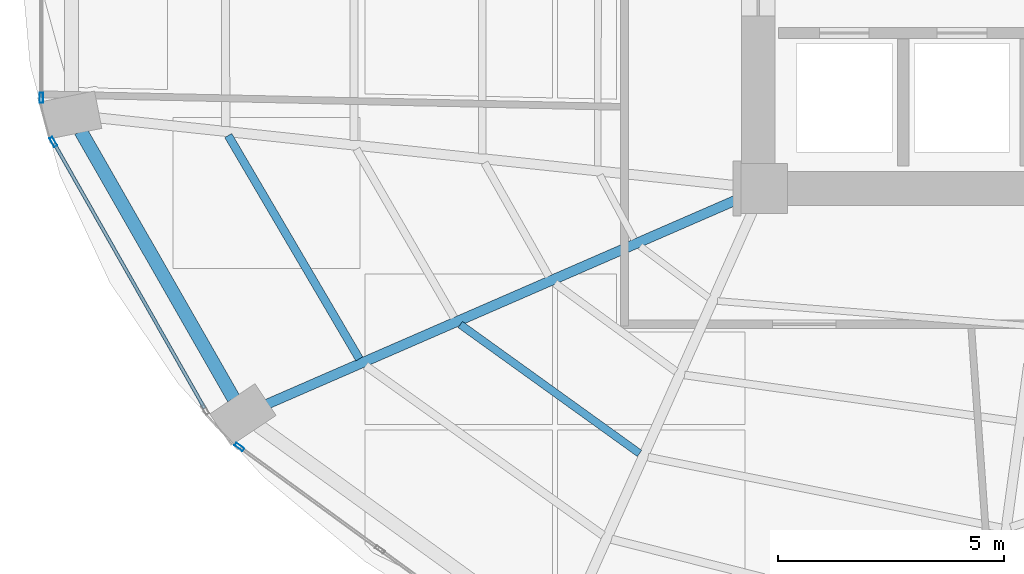
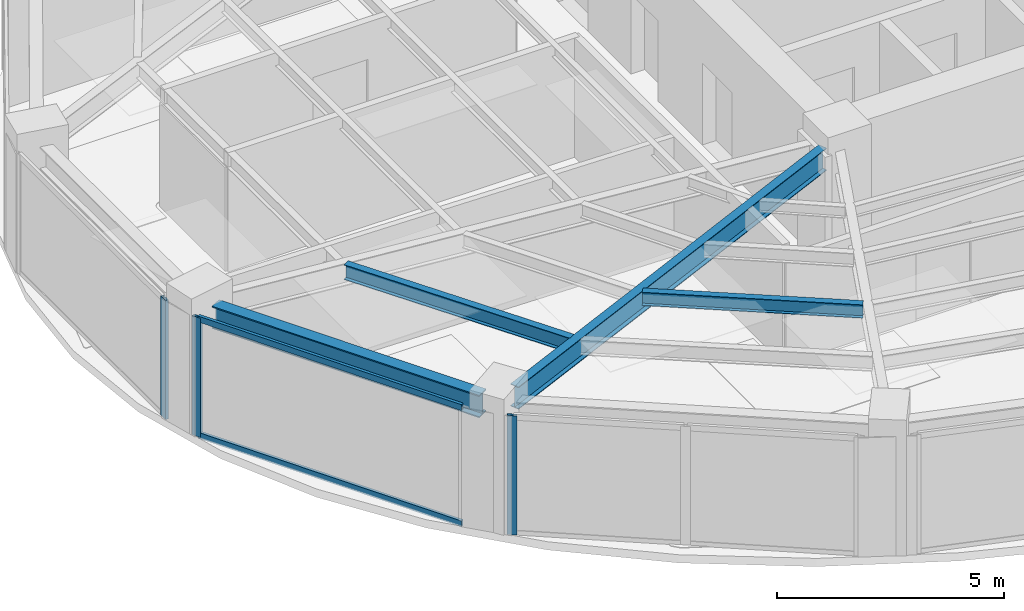
# One storey, part 3 of 24: 5 members, 4 beams, 3 elements without a shape of their own.
"""IFC4 building model written with IfcOpenShell, lengths in metres."""

from ifc_helpers import new_model, si_unit, direction, frame, origin, origin_2d, place, context, subcontext, project, spatial, hollow_rectangle, i_section, extrude, material, layer, layer_set, material_profile, profile_set, type_object, element, aggregate, save


model = new_model("IFC4")

# Units and contexts
model_context = context("Model", 3, precision=1e-05, world=origin(), true_north=direction((0.0, 1.0)))
body_context = subcontext(model_context, "Body", "Model", "MODEL_VIEW")
ifc_project = project(units=[si_unit("LENGTHUNIT", "METRE"), si_unit("AREAUNIT", "SQUARE_METRE"), si_unit("VOLUMEUNIT", "CUBIC_METRE"), si_unit("PLANEANGLEUNIT", "RADIAN"), si_unit("MASSUNIT", "GRAM", prefix="KILO")], contexts=[model_context])

# Site, building, storey
site_placement = place(None, origin())
site = spatial("IfcSite", under=ifc_project, at=site_placement, CompositionType="ELEMENT")
building_placement = place(site_placement, origin())
building = spatial("IfcBuilding", under=site, at=building_placement, Name="Lazwardi Medical Tower", CompositionType="ELEMENT")
storey_placement = place(building_placement, frame((0.0, 0.0, 129.16796875)))
storey = spatial("IfcBuildingStorey", under=building, at=storey_placement, Name="L33", CompositionType="ELEMENT", Elevation=129.16796875)

# Beams
ifc_material_1 = material(Name="Steel S355", Category="steel")
ifc_material_profile_1 = material_profile(ifc_material_1, i_section(OverallWidth=0.300048828125, OverallDepth=0.60009765625, WebThickness=0.015380859375, FlangeThickness=0.030029296875, at=origin_2d()), Name="HEB 600")
ifc_profile_set_1 = profile_set([ifc_material_profile_1], Name="Steel S355")
beam_type_1 = type_object("IfcBeamType", Name="BM-RB-Z2", PredefinedType="BEAM", material=ifc_profile_set_1)
beam_1_placement = place(storey_placement, frame((11.3408203125, 21.664306640625, 2.89794921875), z_axis=(0.496637551254, -0.867958030486, 0.0), x_axis=(0.867958030486, 0.496637551254, 0.0)))
element("IfcBeam", 1, at=beam_1_placement, inside=storey, type_object=beam_type_1, Name="Ring beam RB-03 B13 L33", PredefinedType="BEAM", context=body_context, shape_type="SweptSolid", body=[
    extrude(i_section(OverallWidth=0.300048828125, OverallDepth=0.60009765625, WebThickness=0.015380859375, FlangeThickness=0.030029296875, at=origin_2d()), origin(), (0.0, 0.0, 1.0), 6.801025390625),
])
ifc_material_profile_2 = material_profile(ifc_material_1, i_section(OverallWidth=0.219970703125, OverallDepth=0.60009765625, WebThickness=0.011962890625, FlangeThickness=0.01904296875, at=origin_2d()), Name="IPE 600")
ifc_profile_set_2 = profile_set([ifc_material_profile_2], Name="Steel S355")
beam_type_2 = type_object("IfcBeamType", Name="BM-RG-W1", PredefinedType="BEAM", material=ifc_profile_set_2)
beam_2_placement = place(storey_placement, frame((15.4541015625, 15.63671875, 2.89794921875), z_axis=(0.916941336121, 0.399022037127, 0.0), x_axis=(-0.399022037127, 0.916941336121, 0.0)))
element("IfcBeam", 2, at=beam_2_placement, inside=storey, type_object=beam_type_2, Name="Radial girder RG-02 R14 L33", PredefinedType="BEAM", context=body_context, shape_type="SweptSolid", body=[
    extrude(i_section(OverallWidth=0.219970703125, OverallDepth=0.60009765625, WebThickness=0.011962890625, FlangeThickness=0.01904296875, at=origin_2d()), origin(), (0.0, 0.0, 1.0), 11.40234375),
])
ifc_material_profile_3 = material_profile(ifc_material_1, i_section(OverallWidth=0.179931640625, OverallDepth=0.39990234375, WebThickness=0.008544921875, FlangeThickness=0.013427734375, at=origin_2d()), Name="IPE 400")
ifc_profile_set_3 = profile_set([ifc_material_profile_3], Name="Steel S355")
beam_type_3 = type_object("IfcBeamType", Name="BM-SJ-01", PredefinedType="JOIST", material=ifc_profile_set_3)
beam_3_placement = place(storey_placement, frame((14.597900390625, 21.56787109375, 2.998046875), z_axis=(0.506195045201, -0.862419025888, 0.0), x_axis=(0.862419025888, 0.506195045201, 0.0)))
element("IfcBeam", 3, at=beam_3_placement, inside=storey, type_object=beam_type_3, Name="Secondary joist SJ-01 R1 B13 L33", PredefinedType="JOIST", context=body_context, shape_type="SweptSolid", body=[
    extrude(i_section(OverallWidth=0.179931640625, OverallDepth=0.39990234375, WebThickness=0.008544921875, FlangeThickness=0.013427734375, at=origin_2d()), origin(), (0.0, 0.0, 1.0), 5.71728515625),
])
ifc_material_profile_4 = material_profile(ifc_material_1, i_section(OverallWidth=0.169921875, OverallDepth=0.360107421875, WebThickness=0.008056640625, FlangeThickness=0.0126953125, at=origin_2d()), Name="IPE 360")
ifc_profile_set_4 = profile_set([ifc_material_profile_4], Name="Steel S355")
beam_type_4 = type_object("IfcBeamType", Name="BM-SJ-02", PredefinedType="JOIST", material=ifc_profile_set_4)
beam_4_placement = place(storey_placement, frame((19.721435546875, 17.395263671875, 3.01806640625), z_axis=(0.811888517177, -0.583812500446, 0.0), x_axis=(0.583812500446, 0.811888517177, 0.0)))
element("IfcBeam", 4, at=beam_4_placement, inside=storey, type_object=beam_type_4, Name="Secondary joist SJ-02 R2 B14 L33", PredefinedType="JOIST", context=body_context, shape_type="SweptSolid", body=[
    extrude(i_section(OverallWidth=0.169921875, OverallDepth=0.360107421875, WebThickness=0.008056640625, FlangeThickness=0.0126953125, at=origin_2d()), origin(), (0.0, 0.0, 1.0), 4.874755859375),
])

# Curtain wall, member
ifc_material_2 = material(Name="Anodised bronze aluminium and solar control glazing", Category="aluminium")
ifc_layer = layer(ifc_material_2, 0.195068359375)
ifc_layer_set = layer_set([ifc_layer], Name="Anodised bronze aluminium and solar control glazing")
curtain_wall_type = type_object("IfcCurtainWallType", Name="CW-SYS-03", PredefinedType="NOTDEFINED", material=ifc_layer_set)
curtain_wall_1_placement = place(storey_placement, origin())
curtain_wall_1 = element("IfcCurtainWall", 5, at=curtain_wall_1_placement, inside=storey, type_object=curtain_wall_type, Name="L33 Unitised bronze curtain wall CW-03", PredefinedType="NOTDEFINED")
ifc_material_3 = material(Name="Anodised bronze aluminium", Category="aluminium")
ifc_material_profile_5 = material_profile(ifc_material_3, hollow_rectangle(XDim=0.074951171875, YDim=0.219970703125, WallThickness=0.00390625, at=origin_2d()), Name="ALU-MULLION 220x75x4")
ifc_profile_set_5 = profile_set([ifc_material_profile_5], Name="Anodised bronze aluminium")
member_type_1 = type_object("IfcMemberType", Name="CW-MUL-01", PredefinedType="MULLION", material=ifc_profile_set_5)
member_1_placement = place(storey_placement, frame((10.471923828125, 22.402587890625, 0.0), z_axis=(0.0, 0.0, 1.0), x_axis=(1.0, 0.0, 0.0)))
member_1 = element("IfcMember", 6, at=member_1_placement, type_object=member_type_1, Name="CW-03 mullion 2", PredefinedType="MULLION", context=body_context, shape_type="SweptSolid", body=[
    extrude(hollow_rectangle(XDim=0.074951171875, YDim=0.219970703125, WallThickness=0.00390625, at=origin_2d()), origin(), (0.0, 0.0, 1.0), 3.197998046875),
])
aggregate(curtain_wall_1, [member_1])

curtain_wall_2_placement = place(storey_placement, origin())
curtain_wall_2 = element("IfcCurtainWall", 7, at=curtain_wall_2_placement, inside=storey, type_object=curtain_wall_type, Name="L33 Unitised bronze curtain wall CW-03", PredefinedType="NOTDEFINED")
member_2_placement = place(storey_placement, frame((10.7373046875, 21.42626953125, 0.0), z_axis=(0.0, 0.0, 1.0), x_axis=(0.869687265712, 0.493603140041, 0.0)))
member_2 = element("IfcMember", 8, at=member_2_placement, type_object=member_type_1, Name="CW-03 mullion 1", PredefinedType="MULLION", context=body_context, shape_type="SweptSolid", body=[
    extrude(hollow_rectangle(XDim=0.074951171875, YDim=0.219970703125, WallThickness=0.00390625, at=origin_2d()), origin(), (0.0, 0.0, 1.0), 3.197998046875),
])

curtain_wall_3_placement = place(storey_placement, origin())
curtain_wall_3 = element("IfcCurtainWall", 9, at=curtain_wall_3_placement, inside=storey, type_object=curtain_wall_type, Name="L33 Unitised bronze curtain wall CW-03", PredefinedType="NOTDEFINED")
member_3_placement = place(storey_placement, frame((14.844970703125, 14.691162109375, 0.0), z_axis=(0.0, 0.0, 1.0), x_axis=(0.589530882802, 0.807745837639, 0.0)))
member_3 = element("IfcMember", 10, at=member_3_placement, type_object=member_type_1, Name="CW-03 mullion 1", PredefinedType="MULLION", context=body_context, shape_type="SweptSolid", body=[
    extrude(hollow_rectangle(XDim=0.074951171875, YDim=0.219970703125, WallThickness=0.00390625, at=origin_2d()), origin(), (0.0, 0.0, 1.0), 3.197998046875),
])
aggregate(curtain_wall_3, [member_3])

# Member
ifc_material_profile_6 = material_profile(ifc_material_3, hollow_rectangle(XDim=0.074951171875, YDim=0.159912109375, WallThickness=0.00390625, at=origin_2d()), Name="ALU-TRANSOM 160x75x4")
ifc_profile_set_6 = profile_set([ifc_material_profile_6], Name="Anodised bronze aluminium")
member_type_2 = type_object("IfcMemberType", Name="CW-TRN-01", PredefinedType="USERDEFINED", material=ifc_profile_set_6)
member_4_placement = place(storey_placement, frame((10.755859375, 21.3935546875, 0.03759765625), z_axis=(0.493614427365, -0.869680859337, 0.0), x_axis=(0.869680859337, 0.493614427365, 0.0)))
member_4 = element("IfcMember", 11, at=member_4_placement, type_object=member_type_2, Name="CW-03 transom 1.1", ObjectType="TRANSOM", PredefinedType="USERDEFINED", context=body_context, shape_type="SweptSolid", body=[
    extrude(hollow_rectangle(XDim=0.074951171875, YDim=0.159912109375, WallThickness=0.00390625, at=origin_2d()), origin(), (0.0, 0.0, 1.0), 6.72314453125),
])

member_5_placement = place(storey_placement, frame((10.755859375, 21.3935546875, 3.16064453125), z_axis=(0.493614427365, -0.869680859337, 0.0), x_axis=(0.869680859337, 0.493614427365, 0.0)))
member_5 = element("IfcMember", 12, at=member_5_placement, type_object=member_type_2, Name="CW-03 transom 1.2", ObjectType="TRANSOM", PredefinedType="USERDEFINED", context=body_context, shape_type="SweptSolid", body=[
    extrude(hollow_rectangle(XDim=0.074951171875, YDim=0.159912109375, WallThickness=0.00390625, at=origin_2d()), origin(), (0.0, 0.0, 1.0), 6.72314453125),
])

aggregate(curtain_wall_2, [member_2, member_4, member_5])

save(model, "model.ifc")
